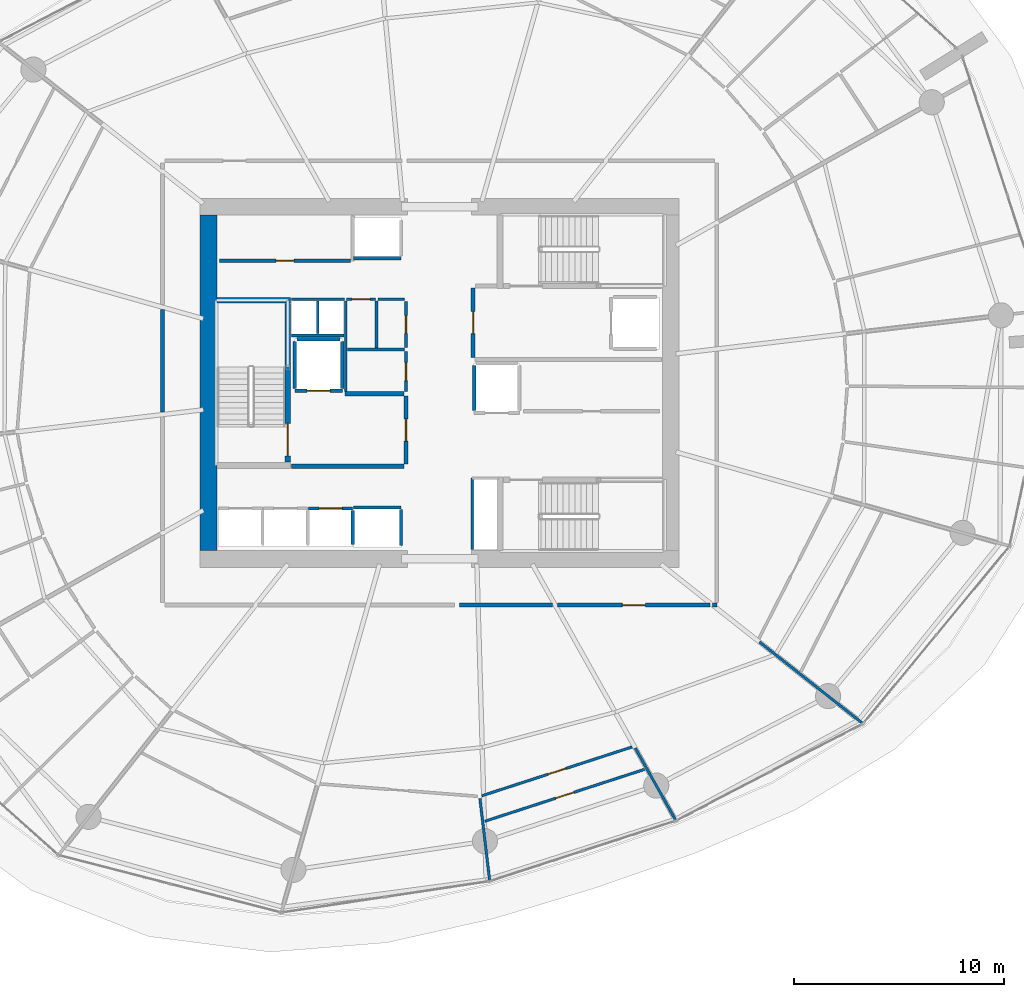
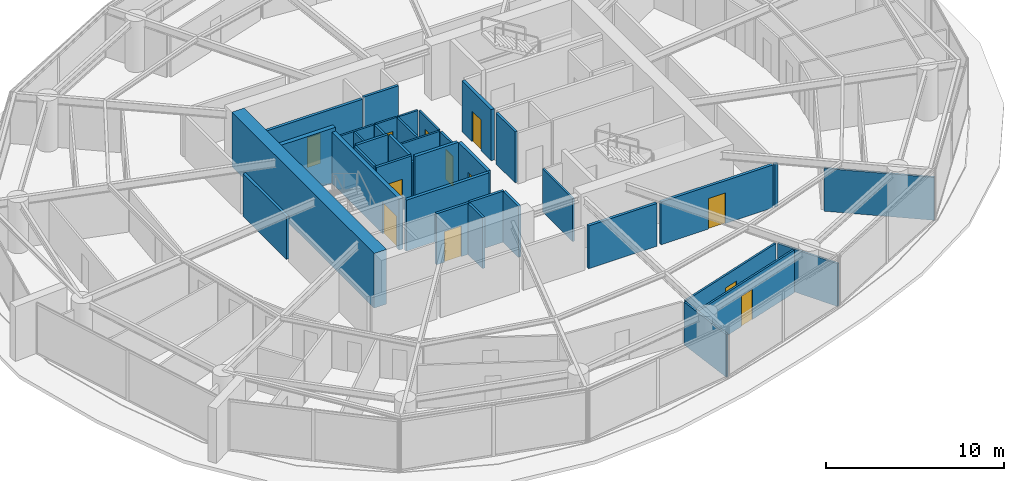
# One storey, part 13 of 17: 38 walls, 12 doors, 12 openings.
"""IFC4 building model written with IfcOpenShell, lengths in metres."""

from ifc_helpers import new_model, si_unit, direction, frame, frame_2d, origin, place, context, subcontext, project, spatial, rectangle, extrude, material, layer, layer_set, type_object, element, fill, save


model = new_model("IFC4")

# Units and contexts
model_context = context("Model", 3, precision=1e-05, world=origin(), true_north=direction((0.0, 1.0)))
body_context = subcontext(model_context, "Body", "Model", "MODEL_VIEW")
ifc_project = project(units=[si_unit("LENGTHUNIT", "METRE"), si_unit("AREAUNIT", "SQUARE_METRE"), si_unit("VOLUMEUNIT", "CUBIC_METRE"), si_unit("PLANEANGLEUNIT", "RADIAN"), si_unit("MASSUNIT", "GRAM", prefix="KILO")], contexts=[model_context])

# Site, building, storey
site_placement = place(None, origin())
site = spatial("IfcSite", under=ifc_project, at=site_placement, CompositionType="ELEMENT")
building_placement = place(site_placement, origin())
building = spatial("IfcBuilding", under=site, at=building_placement, Name="Kazma Halo Residences", CompositionType="ELEMENT")
storey_placement = place(building_placement, frame((0.0, 0.0, 75.14990234375)))
storey = spatial("IfcBuildingStorey", under=building, at=storey_placement, Name="L18", CompositionType="ELEMENT", Elevation=75.14990234375)

# Walls
ifc_material_1 = material(Name="Concrete C80/95", Category="concrete")
ifc_layer_1 = layer(ifc_material_1, 0.800048828125)
ifc_layer_set_1 = layer_set([ifc_layer_1], Name="Concrete C80/95")
wall_type_1 = type_object("IfcWallType", Name="WL-CORE-800", PredefinedType="SHEAR", material=ifc_layer_set_1)
wall_1_placement = place(storey_placement, frame((37.39990234375, 34.0, 0.0), z_axis=(0.0, 0.0, 1.0), x_axis=(0.0, 1.0, 0.0)))
element("IfcWall", 1, at=wall_1_placement, inside=storey, type_object=wall_type_1, Name="L18 central core shear wall W", PredefinedType="SHEAR", context=body_context, shape_type="SweptSolid", body=[
    extrude(rectangle(XDim=16.0, YDim=0.800048828125, at=frame_2d((8.0, 0.0))), origin(), (0.0, 0.0, 1.0), 3.75),
])
ifc_material_2 = material(Name="Concrete C60/75", Category="concrete")
ifc_layer_2 = layer(ifc_material_2, 0.280029296875)
ifc_layer_set_2 = layer_set([ifc_layer_2], Name="Concrete C60/75")
wall_type_2 = type_object("IfcWallType", Name="WL-CORE-ST-280", PredefinedType="SHEAR", material=ifc_layer_set_2)
wall_2_placement = place(storey_placement, frame((37.800048828125, 45.93994140625, 0.0), z_axis=(0.0, 0.0, 1.0), x_axis=(1.0, 0.0, 0.0)))
element("IfcWall", 2, at=wall_2_placement, inside=storey, type_object=wall_type_2, Name="L18 stairwell bearing wall ST01-N", PredefinedType="SHEAR", context=body_context, shape_type="SweptSolid", body=[
    extrude(rectangle(XDim=3.5, YDim=0.280029296875, at=frame_2d((1.75, 0.0))), origin(), (0.0, 0.0, 1.0), 3.75),
])
ifc_material_3 = material(Name="Acoustic Twin-Stud Gypsum")
ifc_layer_3 = layer(ifc_material_3, 0.179931640625)
ifc_layer_set_3 = layer_set([ifc_layer_3], Name="Acoustic Twin-Stud Gypsum")
wall_type_3 = type_object("IfcWallType", Name="WL-DEM-180", PredefinedType="PARTITIONING", material=ifc_layer_set_3)
wall_3_placement = place(storey_placement, frame((35.199951171875, 45.489990234375, 0.0), z_axis=(0.0, 0.0, 1.0), x_axis=(0.0, -1.0, 0.0)))
element("IfcWall", 3, at=wall_3_placement, inside=storey, type_object=wall_type_3, Name="L18 Apartment 1 inner wall 6", PredefinedType="PARTITIONING", context=body_context, shape_type="SweptSolid", body=[
    extrude(rectangle(XDim=4.885009765625, YDim=0.179931640625, at=frame_2d((2.4423828125, 0.0))), origin(), (0.0, 0.0, 1.0), 2.940185546875),
])

# Wall, opening, door
wall_4_placement = place(storey_placement, frame((54.056396484375, 31.39990234375, 0.0), z_axis=(0.0, 0.0, 1.0), x_axis=(1.0, 0.0, 0.0)))
wall_4 = element("IfcWall", 4, at=wall_4_placement, inside=storey, type_object=wall_type_3, Name="L18 Apartment 2 entrance corridor wall", PredefinedType="PARTITIONING", context=body_context, shape_type="SweptSolid", body=[
    extrude(rectangle(XDim=7.26953125, YDim=0.179931640625, at=frame_2d((3.634765625, 0.0))), origin(), (0.0, 0.0, 1.0), 2.940185546875),
])
opening_1_placement = place(wall_4_placement, frame((3.0849609375, 0.0, 0.0)))
opening_1 = element("IfcOpeningElement", 5, at=opening_1_placement, cuts=wall_4, Name="Opening DA-1100", PredefinedType="OPENING", context=body_context, shape_type="SweptSolid", body=[
    extrude(rectangle(XDim=1.10009765625, YDim=2.10009765625, at=frame_2d((0.550048828125, 1.050048828125))), frame((0.0, 0.099853515625, 0.0), z_axis=(0.0, -1.0, 0.0), x_axis=(1.0, 0.0, 0.0)), (0.0, 0.0, 1.0), 0.199951171875),
])
ifc_material_4 = material(Name="Acoustic Walnut Fire Leaf")
door_type_1 = type_object("IfcDoorType", Name="DR-FD60-1100", OperationType="NOTDEFINED", PredefinedType="DOOR", material=ifc_material_4)
door_1_placement = place(opening_1_placement, origin())
door_1 = element("IfcDoor", 6, at=door_1_placement, inside=storey, type_object=door_type_1, Name="L18 Apartment 2 entrance fire door", OperationType="SINGLE_SWING_LEFT", OverallHeight=2.10009765625, OverallWidth=1.10009765625, PredefinedType="DOOR", context=body_context, shape_type="SweptSolid", body=[
    extrude(rectangle(XDim=1.10009765625, YDim=2.10009765625, at=frame_2d((0.550048828125, 1.050048828125))), frame((0.0, 0.02490234375, 0.0), z_axis=(0.0, -1.0, 0.0), x_axis=(1.0, 0.0, 0.0)), (0.0, 0.0, 1.0), 0.050048828125),
])
fill(opening_1, door_1)

# Walls
wall_5_placement = place(storey_placement, frame((49.37451171875, 31.39990234375, 0.0), z_axis=(0.0, 0.0, 1.0), x_axis=(1.0, 0.0, 0.0)))
element("IfcWall", 7, at=wall_5_placement, inside=storey, type_object=wall_type_3, Name="L18 Apartment 2 inner wall 11", PredefinedType="PARTITIONING", context=body_context, shape_type="SweptSolid", body=[
    extrude(rectangle(XDim=4.44189453125, YDim=0.179931640625, at=frame_2d((2.220947265625, 0.0))), origin(), (0.0, 0.0, 1.0), 2.940185546875),
])
wall_6_placement = place(storey_placement, frame((61.446044921875, 31.39990234375, 0.0), z_axis=(0.0, 0.0, 1.0), x_axis=(1.0, 0.0, 0.0)))
element("IfcWall", 8, at=wall_6_placement, inside=storey, type_object=wall_type_3, Name="L18 Apartment 2 inner wall 13", PredefinedType="PARTITIONING", context=body_context, shape_type="SweptSolid", body=[
    extrude(rectangle(XDim=0.203857421875, YDim=0.179931640625, at=frame_2d((0.10205078125, 0.0))), origin(), (0.0, 0.0, 1.0), 2.940185546875),
])

# Wall, opening, door
ifc_material_5 = material(Name="Fire-Rated Blockwork Masonry", Category="masonry")
ifc_layer_4 = layer(ifc_material_5, 0.199951171875)
ifc_layer_set_4 = layer_set([ifc_layer_4], Name="Fire-Rated Blockwork Masonry")
wall_type_4 = type_object("IfcWallType", Name="WL-FLB-200", PredefinedType="PARTITIONING", material=ifc_layer_set_4)
wall_7_placement = place(storey_placement, frame((42.1650390625, 36.0048828125, 0.0), z_axis=(0.0, 0.0, 1.0), x_axis=(1.0, 0.0, 0.0)))
wall_7 = element("IfcWall", 9, at=wall_7_placement, inside=storey, type_object=wall_type_4, Name="L18 lift shaft PL-03 front wall", PredefinedType="PARTITIONING", context=body_context, shape_type="SweptSolid", body=[
    extrude(rectangle(XDim=2.10986328125, YDim=0.159912109375, at=frame_2d((1.054931640625, 0.0))), origin(), (0.0, 0.0, 1.0), 3.5),
])
opening_2_placement = place(wall_7_placement, frame((0.5048828125, 0.0, 0.0)))
opening_2 = element("IfcOpeningElement", 10, at=opening_2_placement, cuts=wall_7, Name="Opening LD-PL-03", PredefinedType="OPENING", context=body_context, shape_type="SweptSolid", body=[
    extrude(rectangle(XDim=1.10009765625, YDim=2.10009765625, at=frame_2d((0.550048828125, 1.050048828125))), frame((0.0, 0.08984375, 0.0), z_axis=(0.0, -1.0, 0.0), x_axis=(1.0, 0.0, 0.0)), (0.0, 0.0, 1.0), 0.179931640625),
])
ifc_material_6 = material(Name="Stainless Steel Fire-Rated", Category="steel")
door_type_2 = type_object("IfcDoorType", Name="DR-LIFT-SLD-1100", OperationType="DOUBLE_DOOR_SLIDING", PredefinedType="DOOR", material=ifc_material_6)
door_2_placement = place(opening_2_placement, origin())
door_2 = element("IfcDoor", 11, at=door_2_placement, inside=storey, type_object=door_type_2, Name="L18 lift PL-03 sliding landing door", OperationType="DOUBLE_DOOR_SLIDING", OverallHeight=2.10009765625, OverallWidth=1.10009765625, PredefinedType="DOOR", context=body_context, shape_type="SweptSolid", body=[
    extrude(rectangle(XDim=1.10009765625, YDim=2.10009765625, at=frame_2d((0.550048828125, 1.050048828125))), frame((0.0, 0.02490234375, 0.0), z_axis=(0.0, -1.0, 0.0), x_axis=(1.0, 0.0, 0.0)), (0.0, 0.0, 1.0), 0.050048828125),
])
fill(opening_2, door_2)

# Walls
wall_8_placement = place(storey_placement, frame((44.27490234375, 34.294921875, 0.0), z_axis=(0.0, 0.0, 1.0), x_axis=(0.0, 1.0, 0.0)))
element("IfcWall", 12, at=wall_8_placement, inside=storey, type_object=wall_type_4, Name="L18 lift shaft PL-03 side wall E", PredefinedType="PARTITIONING", context=body_context, shape_type="SweptSolid", body=[
    extrude(rectangle(XDim=1.610107421875, YDim=0.159912109375, at=frame_2d((0.80517578125, 0.0))), origin(), (0.0, 0.0, 1.0), 3.5),
])
for number, where, z_axis, x_axis, name in (
    (13, (46.580078125, 47.945068359375, 0.0), (0.0, 0.0, 1.0), (-1.0, 0.0, 0.0), "L18 lift shaft PX-01 front wall"),
    (14, (44.320068359375, 36.054931640625, 0.0), (0.0, 0.0, 1.0), (1.0, 0.0, 0.0), "L18 lift shaft PX-02 front wall"),
):
    element("IfcWall", number, at=place(storey_placement, frame(where, z_axis=z_axis, x_axis=x_axis)), inside=storey, type_object=wall_type_4, Name=name, PredefinedType="PARTITIONING", context=body_context, shape_type="SweptSolid", body=[
        extrude(rectangle(XDim=2.260009765625, YDim=0.159912109375, at=frame_2d((1.1298828125, 0.0))), origin(), (0.0, 0.0, 1.0), 3.5),
    ])
wall_9_placement = place(storey_placement, frame((46.580078125, 34.2451171875, 0.0), z_axis=(0.0, 0.0, 1.0), x_axis=(0.0, 1.0, 0.0)))
element("IfcWall", 15, at=wall_9_placement, inside=storey, type_object=wall_type_4, Name="L18 lift shaft PX-02 side wall E", PredefinedType="PARTITIONING", context=body_context, shape_type="SweptSolid", body=[
    extrude(rectangle(XDim=1.7099609375, YDim=0.159912109375, at=frame_2d((0.85498046875, 0.0))), origin(), (0.0, 0.0, 1.0), 3.5),
])

# Wall, opening, door
wall_10_placement = place(storey_placement, frame((43.780029296875, 41.6201171875, 0.0), z_axis=(0.0, 0.0, 1.0), x_axis=(-1.0, 0.0, 0.0)))
wall_10 = element("IfcWall", 16, at=wall_10_placement, inside=storey, type_object=wall_type_4, Name="L18 lift shaft FL-01 front wall", PredefinedType="PARTITIONING", context=body_context, shape_type="SweptSolid", body=[
    extrude(rectangle(XDim=2.260009765625, YDim=0.159912109375, at=frame_2d((1.1298828125, 0.0))), origin(), (0.0, 0.0, 1.0), 3.5),
])
opening_3_placement = place(wall_10_placement, frame((0.580078125, 0.0, 0.0)))
opening_3 = element("IfcOpeningElement", 17, at=opening_3_placement, cuts=wall_10, Name="Opening LD-FL-01", PredefinedType="OPENING", context=body_context, shape_type="SweptSolid", body=[
    extrude(rectangle(XDim=1.10009765625, YDim=2.10009765625, at=frame_2d((0.550048828125, 1.050048828125))), frame((0.0, 0.08984375, 0.0), z_axis=(0.0, -1.0, 0.0), x_axis=(1.0, 0.0, 0.0)), (0.0, 0.0, 1.0), 0.179931640625),
])
door_3_placement = place(opening_3_placement, origin())
door_3 = element("IfcDoor", 18, at=door_3_placement, inside=storey, type_object=door_type_2, Name="L18 lift FL-01 sliding landing door", OperationType="DOUBLE_DOOR_SLIDING", OverallHeight=2.10009765625, OverallWidth=1.10009765625, PredefinedType="DOOR", context=body_context, shape_type="SweptSolid", body=[
    extrude(rectangle(XDim=1.10009765625, YDim=2.10009765625, at=frame_2d((0.550048828125, 1.050048828125))), frame((0.0, 0.02490234375, 0.0), z_axis=(0.0, -1.0, 0.0), x_axis=(1.0, 0.0, 0.0)), (0.0, 0.0, 1.0), 0.050048828125),
])
fill(opening_3, door_3)

# Walls
for number, where, z_axis, x_axis, name in (
    (19, (43.780029296875, 41.719970703125, 0.0), (0.0, 0.0, 1.0), (0.0, 1.0, 0.0), "L18 lift shaft FL-01 side wall E"),
    (20, (41.52001953125, 41.719970703125, 0.0), (0.0, 0.0, 1.0), (0.0, 1.0, 0.0), "L18 lift shaft FL-01 side wall W"),
):
    element("IfcWall", number, at=place(storey_placement, frame(where, z_axis=z_axis, x_axis=x_axis)), inside=storey, type_object=wall_type_4, Name=name, PredefinedType="PARTITIONING", context=body_context, shape_type="SweptSolid", body=[
        extrude(rectangle(XDim=2.260009765625, YDim=0.159912109375, at=frame_2d((1.1298828125, 0.0))), origin(), (0.0, 0.0, 1.0), 3.5),
    ])
wall_11_placement = place(storey_placement, frame((41.6201171875, 44.080078125, 0.0), z_axis=(0.0, 0.0, 1.0), x_axis=(1.0, 0.0, 0.0)))
element("IfcWall", 21, at=wall_11_placement, inside=storey, type_object=wall_type_4, Name="L18 lift shaft FL-01 side wall N", PredefinedType="PARTITIONING", context=body_context, shape_type="SweptSolid", body=[
    extrude(rectangle(XDim=2.059814453125, YDim=0.159912109375, at=frame_2d((1.02978515625, 0.0))), origin(), (0.0, 0.0, 1.0), 3.5),
])
wall_12_placement = place(storey_placement, frame((50.070068359375, 40.669921875, 0.0), z_axis=(0.0, 0.0, 1.0), x_axis=(0.0, 1.0, 0.0)))
element("IfcWall", 22, at=wall_12_placement, inside=storey, type_object=wall_type_4, Name="L18 lift shaft SV-01 side wall W", PredefinedType="PARTITIONING", context=body_context, shape_type="SweptSolid", body=[
    extrude(rectangle(XDim=2.16015625, YDim=0.159912109375, at=frame_2d((1.080078125, 0.0))), origin(), (0.0, 0.0, 1.0), 3.5),
])

# Wall, opening, door
wall_13_placement = place(storey_placement, frame((37.919921875, 47.820068359375, 0.0), z_axis=(0.0, 0.0, 1.0), x_axis=(1.0, 0.0, 0.0)))
wall_13 = element("IfcWall", 23, at=wall_13_placement, inside=storey, type_object=wall_type_4, Name="L18 core north reserve wall", PredefinedType="PARTITIONING", context=body_context, shape_type="SweptSolid", body=[
    extrude(rectangle(XDim=6.260009765625, YDim=0.179931640625, at=frame_2d((3.1298828125, 0.0))), origin(), (0.0, 0.0, 1.0), 3.5),
])
opening_4_placement = place(wall_13_placement, frame((2.705078125, 0.0, 0.0)))
opening_4 = element("IfcOpeningElement", 24, at=opening_4_placement, cuts=wall_13, Name="Opening DS-850", PredefinedType="OPENING", context=body_context, shape_type="SweptSolid", body=[
    extrude(rectangle(XDim=0.85009765625, YDim=2.06005859375, at=frame_2d((0.425048828125, 1.030029296875))), frame((0.0, 0.099853515625, 0.0), z_axis=(0.0, -1.0, 0.0), x_axis=(1.0, 0.0, 0.0)), (0.0, 0.0, 1.0), 0.199951171875),
])
ifc_material_7 = material(Name="Painted Steel Access Leaf", Category="steel")
door_type_3 = type_object("IfcDoorType", Name="DR-SVC-850", OperationType="NOTDEFINED", PredefinedType="DOOR", material=ifc_material_7)
door_4_placement = place(opening_4_placement, origin())
door_4 = element("IfcDoor", 25, at=door_4_placement, inside=storey, type_object=door_type_3, Name="L18 core north reserve door", OperationType="SINGLE_SWING_RIGHT", OverallHeight=2.06005859375, OverallWidth=0.85009765625, PredefinedType="DOOR", context=body_context, shape_type="SweptSolid", body=[
    extrude(rectangle(XDim=0.85009765625, YDim=2.06005859375, at=frame_2d((0.425048828125, 1.030029296875))), frame((0.0, 0.02490234375, 0.0), z_axis=(0.0, -1.0, 0.0), x_axis=(1.0, 0.0, 0.0)), (0.0, 0.0, 1.0), 0.050048828125),
])
fill(opening_4, door_4)

# Walls
wall_14_placement = place(storey_placement, frame((41.35009765625, 38.02001953125, 0.0), z_axis=(0.0, 0.0, 1.0), x_axis=(1.0, 0.0, 0.0)))
element("IfcWall", 26, at=wall_14_placement, inside=storey, type_object=wall_type_4, Name="L18 west firefighting lobby south smoke wall", PredefinedType="PARTITIONING", context=body_context, shape_type="SweptSolid", body=[
    extrude(rectangle(XDim=5.369873046875, YDim=0.199951171875, at=frame_2d((2.68505859375, 0.0))), origin(), (0.0, 0.0, 1.0), 3.5),
])
wall_15_placement = place(storey_placement, frame((43.919921875, 41.47998046875, 0.0), z_axis=(0.0, 0.0, 1.0), x_axis=(1.0, 0.0, 0.0)))
element("IfcWall", 27, at=wall_15_placement, inside=storey, type_object=wall_type_4, Name="L18 west firefighting lobby north smoke wall", PredefinedType="PARTITIONING", context=body_context, shape_type="SweptSolid", body=[
    extrude(rectangle(XDim=2.800048828125, YDim=0.199951171875, at=frame_2d((1.39990234375, 0.0))), origin(), (0.0, 0.0, 1.0), 3.5),
])

# Wall, opening, door
wall_16_placement = place(storey_placement, frame((46.820068359375, 38.1201171875, 0.0), z_axis=(0.0, 0.0, 1.0), x_axis=(0.0, 1.0, 0.0)))
wall_16 = element("IfcWall", 28, at=wall_16_placement, inside=storey, type_object=wall_type_4, Name="L18 west firefighting lobby smoke wall", PredefinedType="PARTITIONING", context=body_context, shape_type="SweptSolid", body=[
    extrude(rectangle(XDim=3.259765625, YDim=0.199951171875, at=frame_2d((1.6298828125, 0.0))), origin(), (0.0, 0.0, 1.0), 3.5),
])
opening_5_placement = place(wall_16_placement, frame((1.10498046875, 0.0, 0.0)))
opening_5 = element("IfcOpeningElement", 29, at=opening_5_placement, cuts=wall_16, Name="Opening D-FLW", PredefinedType="OPENING", context=body_context, shape_type="SweptSolid", body=[
    extrude(rectangle(XDim=1.050048828125, YDim=2.10009765625, at=frame_2d((0.52490234375, 1.050048828125))), frame((0.0, 0.10986328125, 0.0), z_axis=(0.0, -1.0, 0.0), x_axis=(1.0, 0.0, 0.0)), (0.0, 0.0, 1.0), 0.219970703125),
])
ifc_material_8 = material(Name="Fire-Rated Steel Leaf", Category="steel")
door_type_4 = type_object("IfcDoorType", Name="DR-FD90-1050", OperationType="NOTDEFINED", PredefinedType="DOOR", material=ifc_material_8)
door_5_placement = place(opening_5_placement, origin())
door_5 = element("IfcDoor", 30, at=door_5_placement, inside=storey, type_object=door_type_4, Name="L18 west firefighting lobby smoke door", OperationType="SINGLE_SWING_LEFT", OverallHeight=2.10009765625, OverallWidth=1.050048828125, PredefinedType="DOOR", context=body_context, shape_type="SweptSolid", body=[
    extrude(rectangle(XDim=1.050048828125, YDim=2.10009765625, at=frame_2d((0.52490234375, 1.050048828125))), frame((0.0, 0.02490234375, 0.0), z_axis=(0.0, -1.0, 0.0), x_axis=(1.0, 0.0, 0.0)), (0.0, 0.0, 1.0), 0.050048828125),
])
fill(opening_5, door_5)

wall_17_placement = place(storey_placement, frame((50.02001953125, 43.219970703125, 0.0), z_axis=(0.0, 0.0, 1.0), x_axis=(0.0, 1.0, 0.0)))
wall_17 = element("IfcWall", 31, at=wall_17_placement, inside=storey, type_object=wall_type_4, Name="L18 east firefighting lobby smoke wall", PredefinedType="PARTITIONING", context=body_context, shape_type="SweptSolid", body=[
    extrude(rectangle(XDim=3.300048828125, YDim=0.199951171875, at=frame_2d((1.64990234375, 0.0))), origin(), (0.0, 0.0, 1.0), 3.5),
])
opening_6_placement = place(wall_17_placement, frame((1.125, 0.0, 0.0)))
opening_6 = element("IfcOpeningElement", 32, at=opening_6_placement, cuts=wall_17, Name="Opening D-FLE", PredefinedType="OPENING", context=body_context, shape_type="SweptSolid", body=[
    extrude(rectangle(XDim=1.050048828125, YDim=2.10009765625, at=frame_2d((0.52490234375, 1.050048828125))), frame((0.0, 0.10986328125, 0.0), z_axis=(0.0, -1.0, 0.0), x_axis=(1.0, 0.0, 0.0)), (0.0, 0.0, 1.0), 0.219970703125),
])
door_6_placement = place(opening_6_placement, origin())
door_6 = element("IfcDoor", 33, at=door_6_placement, inside=storey, type_object=door_type_4, Name="L18 east firefighting lobby smoke door", OperationType="SINGLE_SWING_RIGHT", OverallHeight=2.10009765625, OverallWidth=1.050048828125, PredefinedType="DOOR", context=body_context, shape_type="SweptSolid", body=[
    extrude(rectangle(XDim=1.050048828125, YDim=2.10009765625, at=frame_2d((0.52490234375, 1.050048828125))), frame((0.0, 0.02490234375, 0.0), z_axis=(0.0, -1.0, 0.0), x_axis=(1.0, 0.0, 0.0)), (0.0, 0.0, 1.0), 0.050048828125),
])
fill(opening_6, door_6)

# Walls
ifc_material_9 = material(Name="Gypsum Plasterboard Partition")
ifc_layer_5 = layer(ifc_material_9, 0.125)
ifc_layer_set_5 = layer_set([ifc_layer_5], Name="Gypsum Plasterboard Partition")
wall_type_5 = type_object("IfcWallType", Name="WL-PART-125", PredefinedType="PARTITIONING", material=ifc_layer_set_5)
wall_18_placement = place(storey_placement, frame((41.360107421875, 44.260009765625, 0.0), z_axis=(0.0, 0.0, 1.0), x_axis=(1.0, 0.0, 0.0)))
element("IfcWall", 34, at=wall_18_placement, inside=storey, type_object=wall_type_5, Name="L18 core riser south wall", PredefinedType="PARTITIONING", context=body_context, shape_type="SweptSolid", body=[
    extrude(rectangle(XDim=2.5, YDim=0.125, at=frame_2d((1.25, 0.0))), origin(), (0.0, 0.0, 1.0), 2.940185546875),
])
wall_19_placement = place(storey_placement, frame((42.60009765625, 44.35009765625, 0.0), z_axis=(0.0, 0.0, 1.0), x_axis=(0.0, 1.0, 0.0)))
element("IfcWall", 35, at=wall_19_placement, inside=storey, type_object=wall_type_5, Name="L18 core riser divider wall", PredefinedType="PARTITIONING", context=body_context, shape_type="SweptSolid", body=[
    extrude(rectangle(XDim=1.5498046875, YDim=0.125, at=frame_2d((0.77490234375, 0.0))), origin(), (0.0, 0.0, 1.0), 2.940185546875),
])
wall_20_placement = place(storey_placement, frame((49.97998046875, 34.06005859375, 0.0), z_axis=(0.0, 0.0, 1.0), x_axis=(0.0, 1.0, 0.0)))
element("IfcWall", 36, at=wall_20_placement, inside=storey, type_object=wall_type_5, Name="L18 standpipe riser wall", PredefinedType="PARTITIONING", context=body_context, shape_type="SweptSolid", body=[
    extrude(rectangle(XDim=3.39990234375, YDim=0.125, at=frame_2d((1.699951171875, 0.0))), origin(), (0.0, 0.0, 1.0), 2.940185546875),
])
wall_21_placement = place(storey_placement, frame((43.949951171875, 41.580078125, 0.0), z_axis=(0.0, 0.0, 1.0), x_axis=(0.0, 1.0, 0.0)))
element("IfcWall", 37, at=wall_21_placement, inside=storey, type_object=wall_type_5, Name="L18 core service west wall", PredefinedType="PARTITIONING", context=body_context, shape_type="SweptSolid", body=[
    extrude(rectangle(XDim=4.31982421875, YDim=0.125, at=frame_2d((2.159912109375, 0.0))), origin(), (0.0, 0.0, 1.0), 2.940185546875),
])
wall_22_placement = place(storey_placement, frame((44.030029296875, 43.590087890625, 0.0), z_axis=(0.0, 0.0, 1.0), x_axis=(1.0, 0.0, 0.0)))
element("IfcWall", 38, at=wall_22_placement, inside=storey, type_object=wall_type_5, Name="L18 core service horiz divider", PredefinedType="PARTITIONING", context=body_context, shape_type="SweptSolid", body=[
    extrude(rectangle(XDim=2.7099609375, YDim=0.125, at=frame_2d((1.35498046875, 0.0))), origin(), (0.0, 0.0, 1.0), 2.940185546875),
])
wall_23_placement = place(storey_placement, frame((45.409912109375, 43.669921875, 0.0), z_axis=(0.0, 0.0, 1.0), x_axis=(0.0, 1.0, 0.0)))
element("IfcWall", 39, at=wall_23_placement, inside=storey, type_object=wall_type_5, Name="L18 core service vert divider", PredefinedType="PARTITIONING", context=body_context, shape_type="SweptSolid", body=[
    extrude(rectangle(XDim=2.22998046875, YDim=0.125, at=frame_2d((1.114990234375, 0.0))), origin(), (0.0, 0.0, 1.0), 2.940185546875),
])

# Wall, opening, door
wall_24_placement = place(storey_placement, frame((46.820068359375, 41.580078125, 0.0), z_axis=(0.0, 0.0, 1.0), x_axis=(0.0, 1.0, 0.0)))
wall_24 = element("IfcWall", 40, at=wall_24_placement, inside=storey, type_object=wall_type_5, Name="L18 refuse room east wall", PredefinedType="PARTITIONING", context=body_context, shape_type="SweptSolid", body=[
    extrude(rectangle(XDim=1.909912109375, YDim=0.125, at=frame_2d((0.955078125, 0.0))), origin(), (0.0, 0.0, 1.0), 2.940185546875),
])
opening_7_placement = place(wall_24_placement, frame((0.530029296875, 0.0, 0.0)))
opening_7 = element("IfcOpeningElement", 41, at=opening_7_placement, cuts=wall_24, Name="Opening DS-850", PredefinedType="OPENING", context=body_context, shape_type="SweptSolid", body=[
    extrude(rectangle(XDim=0.85009765625, YDim=2.06005859375, at=frame_2d((0.425048828125, 1.030029296875))), frame((0.0, 0.072509765625, 0.0), z_axis=(0.0, -1.0, 0.0), x_axis=(1.0, 0.0, 0.0)), (0.0, 0.0, 1.0), 0.14501953125),
])
door_7_placement = place(opening_7_placement, origin())
door_7 = element("IfcDoor", 42, at=door_7_placement, inside=storey, type_object=door_type_3, Name="L18 refuse room door", OperationType="SINGLE_SWING_LEFT", OverallHeight=2.06005859375, OverallWidth=0.85009765625, PredefinedType="DOOR", context=body_context, shape_type="SweptSolid", body=[
    extrude(rectangle(XDim=0.85009765625, YDim=2.06005859375, at=frame_2d((0.425048828125, 1.030029296875))), frame((0.0, 0.02490234375, 0.0), z_axis=(0.0, -1.0, 0.0), x_axis=(1.0, 0.0, 0.0)), (0.0, 0.0, 1.0), 0.050048828125),
])
fill(opening_7, door_7)

wall_25_placement = place(storey_placement, frame((46.820068359375, 43.68994140625, 0.0), z_axis=(0.0, 0.0, 1.0), x_axis=(0.0, 1.0, 0.0)))
wall_25 = element("IfcWall", 43, at=wall_25_placement, inside=storey, type_object=wall_type_5, Name="L18 sub-metering east wall", PredefinedType="PARTITIONING", context=body_context, shape_type="SweptSolid", body=[
    extrude(rectangle(XDim=2.18994140625, YDim=0.125, at=frame_2d((1.094970703125, 0.0))), origin(), (0.0, 0.0, 1.0), 2.940185546875),
])
opening_8_placement = place(wall_25_placement, frame((0.669921875, 0.0, 0.0)))
opening_8 = element("IfcOpeningElement", 44, at=opening_8_placement, cuts=wall_25, Name="Opening DS-850", PredefinedType="OPENING", context=body_context, shape_type="SweptSolid", body=[
    extrude(rectangle(XDim=0.85009765625, YDim=2.06005859375, at=frame_2d((0.425048828125, 1.030029296875))), frame((0.0, 0.072509765625, 0.0), z_axis=(0.0, -1.0, 0.0), x_axis=(1.0, 0.0, 0.0)), (0.0, 0.0, 1.0), 0.14501953125),
])
door_8_placement = place(opening_8_placement, origin())
door_8 = element("IfcDoor", 45, at=door_8_placement, inside=storey, type_object=door_type_3, Name="L18 sub-metering door", OperationType="SINGLE_SWING_RIGHT", OverallHeight=2.06005859375, OverallWidth=0.85009765625, PredefinedType="DOOR", context=body_context, shape_type="SweptSolid", body=[
    extrude(rectangle(XDim=0.85009765625, YDim=2.06005859375, at=frame_2d((0.425048828125, 1.030029296875))), frame((0.0, 0.02490234375, 0.0), z_axis=(0.0, -1.0, 0.0), x_axis=(1.0, 0.0, 0.0)), (0.0, 0.0, 1.0), 0.050048828125),
])
fill(opening_8, door_8)

# Wall
wall_26_placement = place(storey_placement, frame((41.35009765625, 45.97998046875, 0.0), z_axis=(0.0, 0.0, 1.0), x_axis=(1.0, 0.0, 0.0)))
element("IfcWall", 46, at=wall_26_placement, inside=storey, type_object=wall_type_5, Name="L18 core riser NW wall", PredefinedType="PARTITIONING", context=body_context, shape_type="SweptSolid", body=[
    extrude(rectangle(XDim=2.52978515625, YDim=0.125, at=frame_2d((1.264892578125, 0.0))), origin(), (0.0, 0.0, 1.0), 2.940185546875),
])

# Wall, opening, door
wall_27_placement = place(storey_placement, frame((43.989990234375, 45.97998046875, 0.0), z_axis=(0.0, 0.0, 1.0), x_axis=(1.0, 0.0, 0.0)))
wall_27 = element("IfcWall", 47, at=wall_27_placement, inside=storey, type_object=wall_type_5, Name="L18 cleaners cupboard north wall", PredefinedType="PARTITIONING", context=body_context, shape_type="SweptSolid", body=[
    extrude(rectangle(XDim=1.380126953125, YDim=0.125, at=frame_2d((0.68994140625, 0.0))), origin(), (0.0, 0.0, 1.0), 2.940185546875),
])
opening_9_placement = place(wall_27_placement, frame((0.264892578125, 0.0, 0.0)))
opening_9 = element("IfcOpeningElement", 48, at=opening_9_placement, cuts=wall_27, Name="Opening DS-850", PredefinedType="OPENING", context=body_context, shape_type="SweptSolid", body=[
    extrude(rectangle(XDim=0.85009765625, YDim=2.06005859375, at=frame_2d((0.425048828125, 1.030029296875))), frame((0.0, 0.072509765625, 0.0), z_axis=(0.0, -1.0, 0.0), x_axis=(1.0, 0.0, 0.0)), (0.0, 0.0, 1.0), 0.14501953125),
])
door_9_placement = place(opening_9_placement, origin())
door_9 = element("IfcDoor", 49, at=door_9_placement, inside=storey, type_object=door_type_3, Name="L18 cleaners cupboard door", OperationType="SINGLE_SWING_LEFT", OverallHeight=2.06005859375, OverallWidth=0.85009765625, PredefinedType="DOOR", context=body_context, shape_type="SweptSolid", body=[
    extrude(rectangle(XDim=0.85009765625, YDim=2.06005859375, at=frame_2d((0.425048828125, 1.030029296875))), frame((0.0, 0.02490234375, 0.0), z_axis=(0.0, -1.0, 0.0), x_axis=(1.0, 0.0, 0.0)), (0.0, 0.0, 1.0), 0.050048828125),
])
fill(opening_9, door_9)

# Walls
wall_28_placement = place(storey_placement, frame((45.47998046875, 45.97998046875, 0.0), z_axis=(0.0, 0.0, 1.0), x_axis=(1.0, 0.0, 0.0)))
element("IfcWall", 50, at=wall_28_placement, inside=storey, type_object=wall_type_5, Name="L18 sub-metering north wall", PredefinedType="PARTITIONING", context=body_context, shape_type="SweptSolid", body=[
    extrude(rectangle(XDim=1.260009765625, YDim=0.125, at=frame_2d((0.6298828125, 0.0))), origin(), (0.0, 0.0, 1.0), 2.940185546875),
])
for number, where, z_axis, x_axis, name in (
    (51, (50.347412109375, 22.16650390625, 0.0), (0.0, 0.0, 1.0), (0.117544011215, -0.993067674143, 0.0), "L18 Apartment 2 radial partition 11"),
    (52, (57.7587890625, 24.574462890625, 0.0), (0.0, 0.0, 1.0), (0.488599605157, -0.872508123653, 0.0), "L18 Apartment 2 living radial partition 11"),
):
    element("IfcWall", number, at=place(storey_placement, frame(where, z_axis=z_axis, x_axis=x_axis)), inside=storey, type_object=wall_type_5, Name=name, PredefinedType="PARTITIONING", context=body_context, shape_type="SweptSolid", body=[
        extrude(rectangle(XDim=3.950439453125, YDim=0.125, at=frame_2d((1.97509765625, 0.0))), origin(), (0.0, 0.0, 1.0), 2.940185546875),
    ])

# Wall, opening, door
wall_29_placement = place(storey_placement, frame((50.440185546875, 22.2998046875, 0.0), z_axis=(0.0, 0.0, 1.0), x_axis=(0.951063594717, 0.308995208383, 0.0)))
wall_29 = element("IfcWall", 53, at=wall_29_placement, inside=storey, type_object=wall_type_5, Name="L18 Apartment 2 South Study hall wall", PredefinedType="PARTITIONING", context=body_context, shape_type="SweptSolid", body=[
    extrude(rectangle(XDim=7.53369140625, YDim=0.125, at=frame_2d((3.766845703125, 0.0))), origin(), (0.0, 0.0, 1.0), 2.940185546875),
])
opening_10_placement = place(wall_29_placement, frame((3.31689453125, 0.0, 0.0)))
opening_10 = element("IfcOpeningElement", 54, at=opening_10_placement, cuts=wall_29, Name="Opening DI-950", PredefinedType="OPENING", context=body_context, shape_type="SweptSolid", body=[
    extrude(rectangle(XDim=0.89990234375, YDim=2.080078125, at=frame_2d((0.449951171875, 1.0400390625))), frame((0.0, 0.072509765625, 0.0), z_axis=(0.0, -1.0, 0.0), x_axis=(1.0, 0.0, 0.0)), (0.0, 0.0, 1.0), 0.14501953125),
])
ifc_material_10 = material(Name="Timber Veneer Flush Leaf", Category="wood")
door_type_5 = type_object("IfcDoorType", Name="DR-INT-950", OperationType="NOTDEFINED", PredefinedType="DOOR", material=ifc_material_10)
door_10_placement = place(opening_10_placement, origin())
door_10 = element("IfcDoor", 55, at=door_10_placement, inside=storey, type_object=door_type_5, Name="L18 Apartment 2 South Study door", OperationType="SINGLE_SWING_RIGHT", OverallHeight=2.080078125, OverallWidth=0.89990234375, PredefinedType="DOOR", context=body_context, shape_type="SweptSolid", body=[
    extrude(rectangle(XDim=0.89990234375, YDim=2.080078125, at=frame_2d((0.449951171875, 1.0400390625))), frame((0.0, 0.02490234375, 0.0), z_axis=(0.0, -1.0, 0.0), x_axis=(1.0, 0.0, 0.0)), (0.0, 0.0, 1.0), 0.050048828125),
])
fill(opening_10, door_10)

wall_30_placement = place(storey_placement, frame((50.584228515625, 21.084228515625, 0.0), z_axis=(0.0, 0.0, 1.0), x_axis=(0.951057357111, 0.309014406598, 0.0)))
wall_30 = element("IfcWall", 56, at=wall_30_placement, inside=storey, type_object=wall_type_5, Name="L18 Apartment 2 Inner Bedroom divider wall", PredefinedType="PARTITIONING", context=body_context, shape_type="SweptSolid", body=[
    extrude(rectangle(XDim=8.01123046875, YDim=0.125, at=frame_2d((4.005615234375, 0.0))), origin(), (0.0, 0.0, 1.0), 2.940185546875),
])
opening_11_placement = place(wall_30_placement, frame((3.5556640625, 0.0, 0.0)))
opening_11 = element("IfcOpeningElement", 57, at=opening_11_placement, cuts=wall_30, Name="Opening DI-950", PredefinedType="OPENING", context=body_context, shape_type="SweptSolid", body=[
    extrude(rectangle(XDim=0.89990234375, YDim=2.080078125, at=frame_2d((0.449951171875, 1.0400390625))), frame((0.0, 0.072509765625, 0.0), z_axis=(0.0, -1.0, 0.0), x_axis=(1.0, 0.0, 0.0)), (0.0, 0.0, 1.0), 0.14501953125),
])
door_11_placement = place(opening_11_placement, origin())
door_11 = element("IfcDoor", 58, at=door_11_placement, inside=storey, type_object=door_type_5, Name="L18 Apartment 2 Inner Bedroom door", OperationType="SINGLE_SWING_LEFT", OverallHeight=2.080078125, OverallWidth=0.89990234375, PredefinedType="DOOR", context=body_context, shape_type="SweptSolid", body=[
    extrude(rectangle(XDim=0.89990234375, YDim=2.080078125, at=frame_2d((0.449951171875, 1.0400390625))), frame((0.0, 0.02490234375, 0.0), z_axis=(0.0, -1.0, 0.0), x_axis=(1.0, 0.0, 0.0)), (0.0, 0.0, 1.0), 0.050048828125),
])
fill(opening_11, door_11)

# Wall
wall_31_placement = place(storey_placement, frame((63.684326171875, 29.635498046875, 0.0), z_axis=(0.0, 0.0, 1.0), x_axis=(0.785296487737, -0.619119880434, 0.0)))
element("IfcWall", 59, at=wall_31_placement, inside=storey, type_object=wall_type_5, Name="L18 Apartment 2 radial partition 13", PredefinedType="PARTITIONING", context=body_context, shape_type="SweptSolid", body=[
    extrude(rectangle(XDim=6.265869140625, YDim=0.125, at=frame_2d((3.1328125, 0.0))), origin(), (0.0, 0.0, 1.0), 2.940185546875),
])

# Wall, opening, door
ifc_material_11 = material(Name="Concrete C50/60", Category="concrete")
ifc_layer_6 = layer(ifc_material_11, 0.25)
ifc_layer_set_6 = layer_set([ifc_layer_6], Name="Concrete C50/60")
wall_type_6 = type_object("IfcWallType", Name="WL-SHF-250", PredefinedType="SOLIDWALL", material=ifc_layer_set_6)
wall_32_placement = place(storey_placement, frame((41.179931640625, 38.219970703125, 0.0), z_axis=(0.0, 0.0, 1.0), x_axis=(0.0, 1.0, 0.0)))
wall_32 = element("IfcWall", 60, at=wall_32_placement, inside=storey, type_object=wall_type_6, Name="L18 exit stair ST-01 enclosure wall", PredefinedType="SOLIDWALL", context=body_context, shape_type="SweptSolid", body=[
    extrude(rectangle(XDim=7.56005859375, YDim=0.25, at=frame_2d((3.780029296875, 0.0))), origin(), (0.0, 0.0, 1.0), 3.5),
])
opening_12_placement = place(wall_32_placement, frame((0.300048828125, 0.0, 0.0)))
opening_12 = element("IfcOpeningElement", 61, at=opening_12_placement, cuts=wall_32, Name="Opening D-ST1", PredefinedType="OPENING", context=body_context, shape_type="SweptSolid", body=[
    extrude(rectangle(XDim=1.550048828125, YDim=2.14990234375, at=frame_2d((0.77490234375, 1.074951171875))), frame((0.0, 0.135009765625, 0.0), z_axis=(0.0, -1.0, 0.0), x_axis=(1.0, 0.0, 0.0)), (0.0, 0.0, 1.0), 0.27001953125),
])
ifc_material_12 = material(Name="Fire-Rated Double Steel Leaf", Category="steel")
door_type_6 = type_object("IfcDoorType", Name="DR-FD90-1550", OperationType="NOTDEFINED", PredefinedType="DOOR", material=ifc_material_12)
door_12_placement = place(opening_12_placement, origin())
door_12 = element("IfcDoor", 62, at=door_12_placement, inside=storey, type_object=door_type_6, Name="L18 exit stair ST-01 fire door", OperationType="DOUBLE_DOOR_SINGLE_SWING", OverallHeight=2.14990234375, OverallWidth=1.550048828125, PredefinedType="DOOR", context=body_context, shape_type="SweptSolid", body=[
    extrude(rectangle(XDim=1.550048828125, YDim=2.14990234375, at=frame_2d((0.77490234375, 1.074951171875))), frame((0.0, 0.02490234375, 0.0), z_axis=(0.0, -1.0, 0.0), x_axis=(1.0, 0.0, 0.0)), (0.0, 0.0, 1.0), 0.050048828125),
])
fill(opening_12, door_12)

save(model, "model.ifc")
